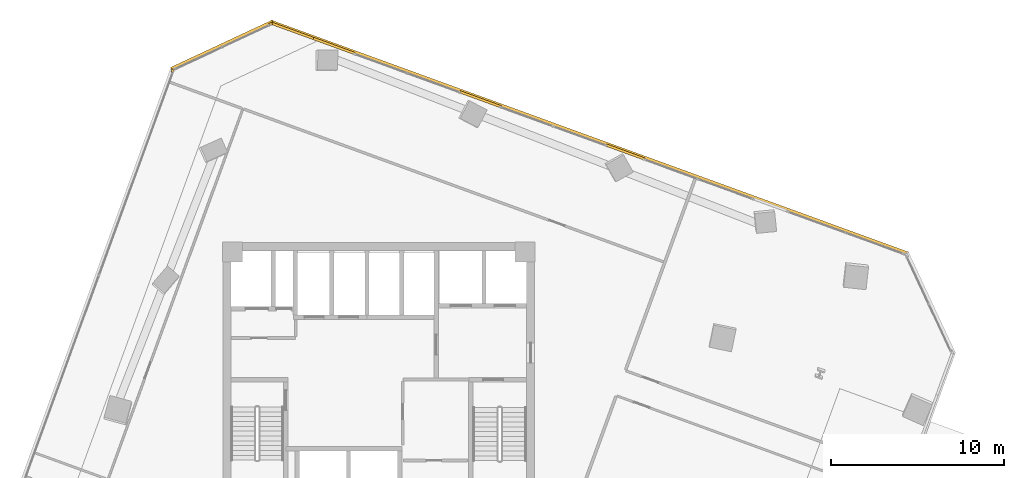
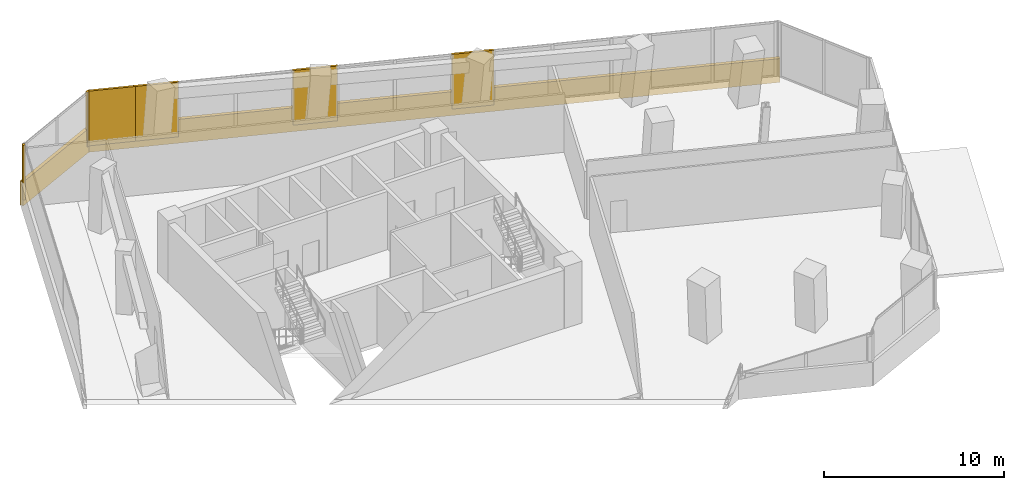
# One storey, part 21 of 21: 8 coverings.
"""IFC4 building model written with IfcOpenShell, lengths in metres."""

from ifc_helpers import new_model, si_unit, direction, frame, origin, origin_2d, place, context, subcontext, project, spatial, rectangle, extrude, source, transform, mapped, material, layer, layer_set, type_object, element, save


model = new_model("IFC4")

# Units and contexts
model_context = context("Model", 3, precision=1e-05, world=origin(), true_north=direction((0.0, 1.0)))
body_context = subcontext(model_context, "Body", "Model", "MODEL_VIEW")
ifc_project = project(units=[si_unit("LENGTHUNIT", "METRE"), si_unit("AREAUNIT", "SQUARE_METRE"), si_unit("VOLUMEUNIT", "CUBIC_METRE"), si_unit("PLANEANGLEUNIT", "RADIAN"), si_unit("MASSUNIT", "GRAM", prefix="KILO")], contexts=[model_context])

# Site, building, storey
site_placement = place(None, origin())
site = spatial("IfcSite", under=ifc_project, at=site_placement, CompositionType="ELEMENT")
building_placement = place(site_placement, origin())
building = spatial("IfcBuilding", under=site, at=building_placement, Name="Torre Montelarca", CompositionType="ELEMENT")
storey_placement = place(building_placement, frame((0.0, 0.0, 133.0)))
storey = spatial("IfcBuildingStorey", under=building, at=storey_placement, Name="L29", CompositionType="ELEMENT", Elevation=133.0)

# Coverings
ifc_material = material(Name="Bush-hammered warm white precast concrete C45/55", Category="concrete")
ifc_layer = layer(ifc_material, 0.139892578125, Name="Bush-hammered warm white precast concrete C45/55", Category="concrete")
ifc_layer_set = layer_set([ifc_layer], Name="Bush-hammered warm white precast concrete C45/55")
covering_type = type_object("IfcCoveringType", Name="COV-TRAY-CLAD", PredefinedType="CLADDING", material=ifc_layer_set)
shared_shape_1 = source(origin(), body_context, "Body", "SweptSolid", [
    extrude(rectangle(XDim=6.48388671875, YDim=0.219970703125, at=origin_2d()), origin(), (0.0, 0.0, 1.0), 1.6201171875),
])
covering_1_placement = place(storey_placement, frame((8.946533203125, 51.391845703125, -0.449951171875), z_axis=(0.0, 0.0, 1.0), x_axis=(-0.906309262247, -0.422615098127, 0.0)))
element("IfcCovering", 1, at=covering_1_placement, inside=storey, type_object=covering_type, Name="L29 Architectural White Spandrel Tray Band TRYBOT-09", PredefinedType="CLADDING", context=body_context, shape_type="MappedRepresentation", body=[
    mapped(shared_shape_1, transform((0.0, 0.0, 0.0), scale=1.0)),
])
shared_shape_2 = source(origin(), body_context, "Body", "SweptSolid", [
    extrude(rectangle(XDim=0.199951171875, YDim=0.139892578125, at=origin_2d()), origin(), (0.0, 0.0, 1.0), 3.719970703125),
])
for number, where, z_axis, x_axis, name in (
    (2, (11.750732421875, 52.633056640625, 0.0), (0.0, 0.0, 1.0), (-0.906310737447, -0.422611934508, 0.0), "L29 Architectural Column Pier Cladding E09-1"),
    (3, (6.094970703125, 49.9345703125, 0.0), (0.0, 0.0, 1.0), (-0.342018503252, -0.939693217722, 0.0), "L29 Architectural Column Pier Cladding E10-1"),
):
    element("IfcCovering", number, at=place(storey_placement, frame(where, z_axis=z_axis, x_axis=x_axis)), inside=storey, type_object=covering_type, Name=name, PredefinedType="CLADDING", context=body_context, shape_type="MappedRepresentation", body=[
        mapped(shared_shape_2, transform((0.0, 0.0, 0.0), scale=1.0)),
    ])
shared_shape_3 = source(origin(), body_context, "Body", "SweptSolid", [
    extrude(rectangle(XDim=39.219970703125, YDim=0.219970703125, at=origin_2d()), origin(), (0.0, 0.0, 1.0), 1.6201171875),
])
covering_2_placement = place(storey_placement, frame((30.178466796875, 46.049072265625, -0.449951171875), z_axis=(0.0, 0.0, 1.0), x_axis=(-0.939693217722, 0.342018503252, 0.0)))
element("IfcCovering", 4, at=covering_2_placement, inside=storey, type_object=covering_type, Name="L29 Architectural White Spandrel Tray Band TRYBOT-08", PredefinedType="CLADDING", context=body_context, shape_type="MappedRepresentation", body=[
    mapped(shared_shape_3, transform((0.0, 0.0, 0.0), scale=1.0)),
])
shared_shape_4 = source(origin(), body_context, "Body", "SweptSolid", [
    extrude(rectangle(XDim=2.37451171875, YDim=0.139892578125, at=origin_2d()), origin(), (0.0, 0.0, 1.0), 3.719970703125),
])
covering_3_placement = place(storey_placement, frame((32.255615234375, 45.229248046875, 0.0), z_axis=(0.0, 0.0, 1.0), x_axis=(-0.939693814656, 0.342016863178, 0.0)))
element("IfcCovering", 5, at=covering_3_placement, inside=storey, type_object=covering_type, Name="L29 Architectural Column Pier Cladding E08-3", PredefinedType="CLADDING", context=body_context, shape_type="MappedRepresentation", body=[
    mapped(shared_shape_4, transform((0.0, 0.0, 0.0), scale=1.0)),
])
shared_shape_5 = source(origin(), body_context, "Body", "SweptSolid", [
    extrude(rectangle(XDim=2.541259765625, YDim=0.139892578125, at=origin_2d()), origin(), (0.0, 0.0, 1.0), 3.719970703125),
])
covering_4_placement = place(storey_placement, frame((23.876708984375, 48.27880859375, 0.0), z_axis=(0.0, 0.0, 1.0), x_axis=(-0.939693814656, 0.342016863178, 0.0)))
element("IfcCovering", 6, at=covering_4_placement, inside=storey, type_object=covering_type, Name="L29 Architectural Column Pier Cladding E08-4", PredefinedType="CLADDING", context=body_context, shape_type="MappedRepresentation", body=[
    mapped(shared_shape_5, transform((0.0, 0.0, 0.0), scale=1.0)),
])
shared_shape_6 = source(origin(), body_context, "Body", "SweptSolid", [
    extrude(rectangle(XDim=2.54345703125, YDim=0.139892578125, at=origin_2d()), origin(), (0.0, 0.0, 1.0), 3.719970703125),
])
covering_5_placement = place(storey_placement, frame((15.42041015625, 51.356689453125, 0.0), z_axis=(0.0, 0.0, 1.0), x_axis=(-0.939693814656, 0.342016863178, 0.0)))
element("IfcCovering", 7, at=covering_5_placement, inside=storey, type_object=covering_type, Name="L29 Architectural Column Pier Cladding E08-5", PredefinedType="CLADDING", context=body_context, shape_type="MappedRepresentation", body=[
    mapped(shared_shape_6, transform((0.0, 0.0, 0.0), scale=1.0)),
])
shared_shape_7 = source(origin(), body_context, "Body", "SweptSolid", [
    extrude(rectangle(XDim=2.67919921875, YDim=0.139892578125, at=origin_2d()), origin(), (0.0, 0.0, 1.0), 3.719970703125),
])
covering_6_placement = place(storey_placement, frame((13.060546875, 52.215576171875, 0.0), z_axis=(0.0, 0.0, 1.0), x_axis=(-0.939693814656, 0.342016863178, 0.0)))
element("IfcCovering", 8, at=covering_6_placement, inside=storey, type_object=covering_type, Name="L29 Architectural Column Pier Cladding E08-6", PredefinedType="CLADDING", context=body_context, shape_type="MappedRepresentation", body=[
    mapped(shared_shape_7, transform((0.0, 0.0, 0.0), scale=1.0)),
])

save(model, "model.ifc")
